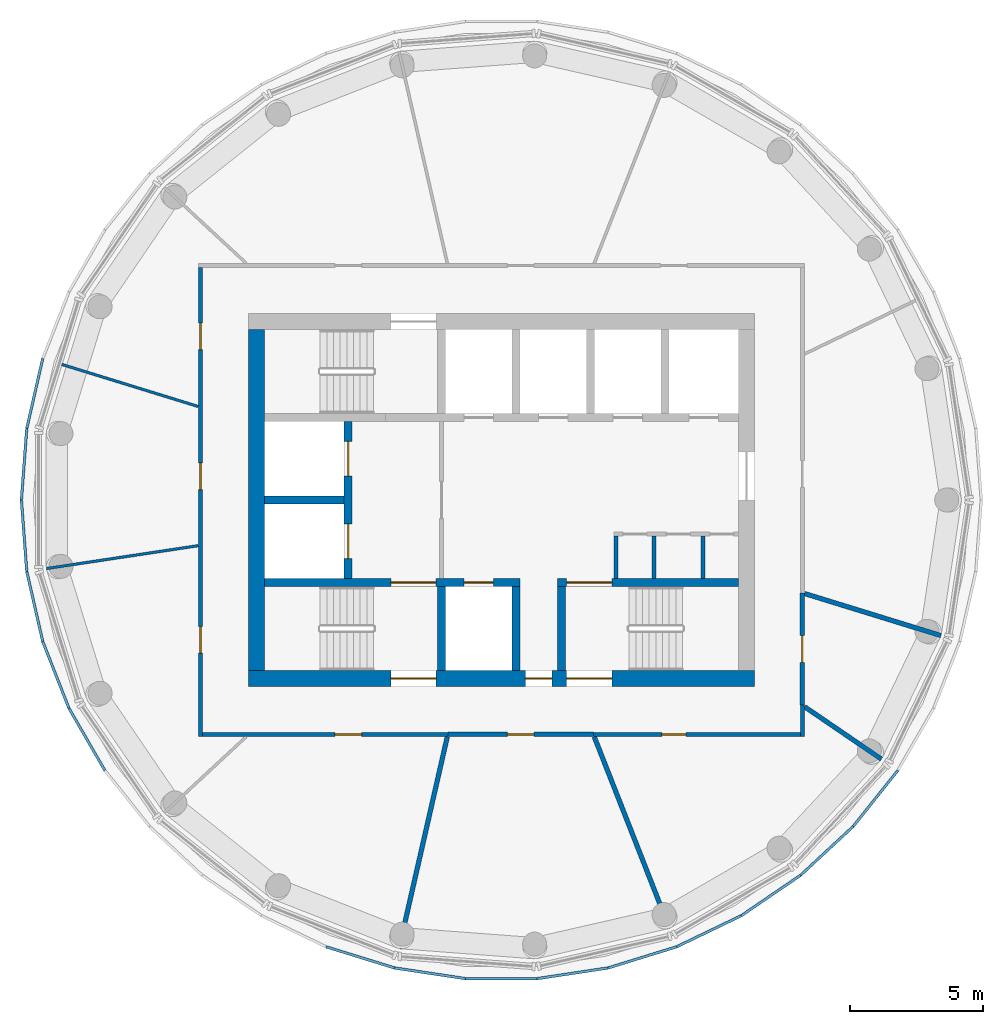
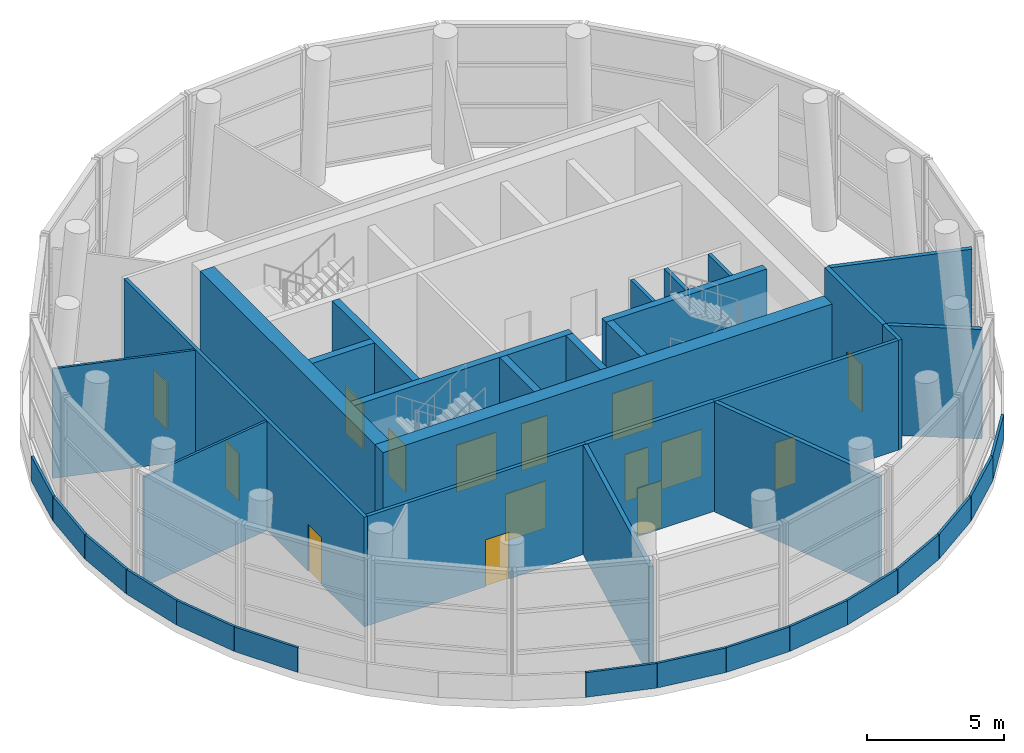
# One storey, part 5 of 10: 39 walls, 15 doors, 15 openings.
"""IFC4 building model written with IfcOpenShell, lengths in metres."""

from ifc_helpers import new_model, si_unit, direction, frame, frame_2d, origin, place, context, subcontext, project, spatial, rectangle, extrude, material, layer, layer_set, type_object, element, fill, save


model = new_model("IFC4")

# Units and contexts
model_context = context("Model", 3, precision=1e-05, world=origin(), true_north=direction((0.0, 1.0)))
body_context = subcontext(model_context, "Body", "Model", "MODEL_VIEW")
ifc_project = project(units=[si_unit("LENGTHUNIT", "METRE"), si_unit("AREAUNIT", "SQUARE_METRE"), si_unit("VOLUMEUNIT", "CUBIC_METRE"), si_unit("PLANEANGLEUNIT", "RADIAN"), si_unit("MASSUNIT", "GRAM", prefix="KILO")], contexts=[model_context])

# Site, building, storey
site_placement = place(None, origin())
site = spatial("IfcSite", under=ifc_project, at=site_placement, CompositionType="ELEMENT")
building_placement = place(site_placement, origin())
building = spatial("IfcBuilding", under=site, at=building_placement, Name="Tracery Tower", CompositionType="ELEMENT")
storey_placement = place(building_placement, frame((0.0, 0.0, 352.199951171875)))
storey = spatial("IfcBuildingStorey", under=building, at=storey_placement, Name="L90", CompositionType="ELEMENT", Elevation=352.199951171875)

# Wall
ifc_material_1 = material(Name="Plasterboard on steel studs", Category="steel")
ifc_layer_1 = layer(ifc_material_1, 0.175048828125)
ifc_layer_set_1 = layer_set([ifc_layer_1], Name="Compartment partition 175")
wall_type_1 = type_object("IfcWallType", Name="Compartment partition 175", PredefinedType="PARTITIONING", material=ifc_layer_set_1)
wall_1_placement = place(storey_placement, frame((-3.84326171875, -16.83837890625, 0.0), z_axis=(0.0, 0.0, 1.0), x_axis=(0.222515094365, 0.974929245012, 0.0)))
element("IfcWall", 1, at=wall_1_placement, inside=storey, type_object=wall_type_1, Name="Compartment partition 175", PredefinedType="PARTITIONING", context=body_context, shape_type="SweptSolid", body=[
    extrude(rectangle(XDim=8.1552734375, YDim=0.175048828125, at=frame_2d((4.07763671875, 0.0))), origin(), (0.0, 0.0, 1.0), 4.900146484375),
])

# Wall, opening, door
wall_2_placement = place(storey_placement, frame((3.45361328125, -8.800048828125, 0.0), z_axis=(0.0, 0.0, 1.0), x_axis=(-1.0, 0.0, 0.0)))
wall_2 = element("IfcWall", 2, at=wall_2_placement, inside=storey, type_object=wall_type_1, Name="Compartment partition 175", PredefinedType="PARTITIONING", context=body_context, shape_type="SweptSolid", body=[
    extrude(rectangle(XDim=5.462158203125, YDim=0.175048828125, at=frame_2d((2.73095703125, 0.0))), origin(), (0.0, 0.0, 1.0), 4.900146484375),
])
opening_1_placement = place(wall_2_placement, frame((2.231201171875, 0.0, 0.0)))
opening_1 = element("IfcOpeningElement", 3, at=opening_1_placement, cuts=wall_2, Name="Opening SB-L90-08", PredefinedType="OPENING", context=body_context, shape_type="SweptSolid", body=[
    extrude(rectangle(XDim=1.0, YDim=2.10009765625, at=frame_2d((0.5, 1.050048828125))), frame((0.0, 0.08740234375, 0.0), z_axis=(0.0, -1.0, 0.0), x_axis=(1.0, 0.0, 0.0)), (0.0, 0.0, 1.0), 0.175048828125),
])
ifc_material_2 = material(Name="Timber door leaf", Category="wood")
door_type_1 = type_object("IfcDoorType", Name="Public room door 1000", OperationType="NOTDEFINED", PredefinedType="DOOR", material=ifc_material_2)
door_1_placement = place(opening_1_placement, origin())
door_1 = element("IfcDoor", 4, at=door_1_placement, inside=storey, type_object=door_type_1, Name="Public room door 1000", OperationType="SINGLE_SWING_RIGHT", OverallHeight=2.10009765625, OverallWidth=1.0, PredefinedType="DOOR", context=body_context, shape_type="SweptSolid", body=[
    extrude(rectangle(XDim=1.0, YDim=2.10009765625, at=frame_2d((0.5, 1.050048828125))), frame((0.0, 0.02490234375, 0.0), z_axis=(0.0, -1.0, 0.0), x_axis=(1.0, 0.0, 0.0)), (0.0, 0.0, 1.0), 0.050048828125),
])
fill(opening_1, door_1)

# Wall
wall_3_placement = place(storey_placement, frame((6.309814453125, -16.077392578125, 0.0), z_axis=(0.0, 0.0, 1.0), x_axis=(-0.365333539525, 0.930876686193, 0.0)))
element("IfcWall", 5, at=wall_3_placement, inside=storey, type_object=wall_type_1, Name="Compartment partition 175", PredefinedType="PARTITIONING", context=body_context, shape_type="SweptSolid", body=[
    extrude(rectangle(XDim=7.723876953125, YDim=0.175048828125, at=frame_2d((3.86181640625, 0.0))), origin(), (0.0, 0.0, 1.0), 4.900146484375),
])

# Wall, opening, door
wall_4_placement = place(storey_placement, frame((11.300048828125, -3.485595703125, 0.0), z_axis=(0.0, 0.0, 1.0), x_axis=(0.0, -1.0, 0.0)))
wall_4 = element("IfcWall", 6, at=wall_4_placement, inside=storey, type_object=wall_type_1, Name="Compartment partition 175", PredefinedType="PARTITIONING", context=body_context, shape_type="SweptSolid", body=[
    extrude(rectangle(XDim=4.218505859375, YDim=0.175048828125, at=frame_2d((2.109375, 0.0))), origin(), (0.0, 0.0, 1.0), 4.900146484375),
])
opening_2_placement = place(wall_4_placement, frame((1.609375, 0.0, 0.0)))
opening_2 = element("IfcOpeningElement", 7, at=opening_2_placement, cuts=wall_4, Name="Opening SB-L90-10", PredefinedType="OPENING", context=body_context, shape_type="SweptSolid", body=[
    extrude(rectangle(XDim=1.0, YDim=2.10009765625, at=frame_2d((0.5, 1.050048828125))), frame((0.0, 0.08740234375, 0.0), z_axis=(0.0, -1.0, 0.0), x_axis=(1.0, 0.0, 0.0)), (0.0, 0.0, 1.0), 0.175048828125),
])
door_2_placement = place(opening_2_placement, origin())
door_2 = element("IfcDoor", 8, at=door_2_placement, inside=storey, type_object=door_type_1, Name="Public room door 1000", OperationType="SINGLE_SWING_RIGHT", OverallHeight=2.10009765625, OverallWidth=1.0, PredefinedType="DOOR", context=body_context, shape_type="SweptSolid", body=[
    extrude(rectangle(XDim=1.0, YDim=2.10009765625, at=frame_2d((0.5, 1.050048828125))), frame((0.0, 0.02490234375, 0.0), z_axis=(0.0, -1.0, 0.0), x_axis=(1.0, 0.0, 0.0)), (0.0, 0.0, 1.0), 0.050048828125),
])
fill(opening_2, door_2)

# Walls
wall_5_placement = place(storey_placement, frame((14.270263671875, -9.729248046875, 0.0), z_axis=(0.0, 0.0, 1.0), x_axis=(-0.826256949989, 0.563293398324, 0.0)))
element("IfcWall", 9, at=wall_5_placement, inside=storey, type_object=wall_type_1, Name="Compartment partition 175", PredefinedType="PARTITIONING", context=body_context, shape_type="SweptSolid", body=[
    extrude(rectangle(XDim=3.489013671875, YDim=0.175048828125, at=frame_2d((1.74462890625, 0.0))), origin(), (0.0, 0.0, 1.0), 4.900146484375),
])
wall_6_placement = place(storey_placement, frame((16.50390625, -5.0908203125, 0.0), z_axis=(0.0, 0.0, 1.0), x_axis=(-0.955577665194, 0.294739420137, 0.0)))
element("IfcWall", 10, at=wall_6_placement, inside=storey, type_object=wall_type_1, Name="Compartment partition 175", PredefinedType="PARTITIONING", context=body_context, shape_type="SweptSolid", body=[
    extrude(rectangle(XDim=5.354248046875, YDim=0.175048828125, at=frame_2d((2.67724609375, 0.0))), origin(), (0.0, 0.0, 1.0), 4.900146484375),
])
ifc_material_3 = material(Name="Plasterboard on steel studs", Category="steel")
ifc_layer_2 = layer(ifc_material_3, 0.14990234375)
ifc_layer_set_2 = layer_set([ifc_layer_2], Name="Core room partition 150")
wall_type_2 = type_object("IfcWallType", Name="Core room partition 150", PredefinedType="SOLIDWALL", material=ifc_layer_set_2)
for number, where, z_axis, x_axis, name in (
    (11, (4.300048828125, -2.949951171875, 0.0), (0.0, 0.0, 1.0), (0.0, 1.0, 0.0), "L90 slot W"),
    (12, (5.72509765625, -2.949951171875, 0.0), (0.0, 0.0, 1.0), (0.0, 1.0, 0.0), "L90 slot sep 1"),
    (13, (7.574951171875, -2.949951171875, 0.0), (0.0, 0.0, 1.0), (0.0, 1.0, 0.0), "L90 slot sep 2"),
):
    element("IfcWall", number, at=place(storey_placement, frame(where, z_axis=z_axis, x_axis=x_axis)), inside=storey, type_object=wall_type_2, Name=name, PredefinedType="SOLIDWALL", context=body_context, shape_type="SweptSolid", body=[
        extrude(rectangle(XDim=1.599853515625, YDim=0.14990234375, at=frame_2d((0.7998046875, 0.0))), origin(), (0.0, 0.0, 1.0), 5.5),
    ])

# Wall, openings, doors
ifc_material_4 = material(Name="Concrete C40/50", Category="concrete")
ifc_layer_3 = layer(ifc_material_4, 0.60009765625)
ifc_layer_set_3 = layer_set([ifc_layer_3], Name="Core wall 600 C40")
wall_type_3 = type_object("IfcWallType", Name="Core wall 600 C40", PredefinedType="SOLIDWALL", material=ifc_layer_set_3)
wall_7_placement = place(storey_placement, frame((-9.5, -6.699951171875, 0.0), z_axis=(0.0, 0.0, 1.0), x_axis=(1.0, 0.0, 0.0)))
wall_7 = element("IfcWall", 14, at=wall_7_placement, inside=storey, type_object=wall_type_3, Name="L90 outer S", PredefinedType="SOLIDWALL", context=body_context, shape_type="SweptSolid", body=[
    extrude(rectangle(XDim=19.0, YDim=0.60009765625, at=frame_2d((9.5, 0.0))), origin(), (0.0, 0.0, 1.0), 6.0),
])
opening_3_placement = place(wall_7_placement, frame((10.39990234375, 0.0, 0.0)))
opening_3 = element("IfcOpeningElement", 15, at=opening_3_placement, cuts=wall_7, Name="Opening KD16", PredefinedType="OPENING", context=body_context, shape_type="SweptSolid", body=[
    extrude(rectangle(XDim=1.0, YDim=2.10009765625, at=frame_2d((0.5, 1.050048828125))), frame((0.0, 0.300048828125, 0.0), z_axis=(0.0, -1.0, 0.0), x_axis=(1.0, 0.0, 0.0)), (0.0, 0.0, 1.0), 0.60009765625),
])
opening_4_placement = place(wall_7_placement, frame((5.35009765625, 0.0, 0.0)))
opening_4 = element("IfcOpeningElement", 16, at=opening_4_placement, cuts=wall_7, Name="Opening KD3", PredefinedType="OPENING", context=body_context, shape_type="SweptSolid", body=[
    extrude(rectangle(XDim=1.699951171875, YDim=2.10009765625, at=frame_2d((0.85009765625, 1.050048828125))), frame((0.0, 0.300048828125, 0.0), z_axis=(0.0, -1.0, 0.0), x_axis=(1.0, 0.0, 0.0)), (0.0, 0.0, 1.0), 0.60009765625),
])
opening_5_placement = place(wall_7_placement, frame((11.949951171875, 0.0, 0.0)))
opening_5 = element("IfcOpeningElement", 17, at=opening_5_placement, cuts=wall_7, Name="Opening KD3", PredefinedType="OPENING", context=body_context, shape_type="SweptSolid", body=[
    extrude(rectangle(XDim=1.699951171875, YDim=2.10009765625, at=frame_2d((0.85009765625, 1.050048828125))), frame((0.0, 0.300048828125, 0.0), z_axis=(0.0, -1.0, 0.0), x_axis=(1.0, 0.0, 0.0)), (0.0, 0.0, 1.0), 0.60009765625),
])
ifc_material_5 = material(Name="Steel fire door", Category="steel")
door_type_2 = type_object("IfcDoorType", Name="Core exit door 1000", OperationType="NOTDEFINED", PredefinedType="DOOR", material=ifc_material_5)
door_3_placement = place(opening_3_placement, origin())
door_3 = element("IfcDoor", 18, at=door_3_placement, inside=storey, type_object=door_type_2, Name="Core exit door", OperationType="SINGLE_SWING_LEFT", OverallHeight=2.10009765625, OverallWidth=1.0, PredefinedType="DOOR", context=body_context, shape_type="SweptSolid", body=[
    extrude(rectangle(XDim=1.0, YDim=2.10009765625, at=frame_2d((0.5, 1.050048828125))), frame((0.0, 0.02490234375, 0.0), z_axis=(0.0, -1.0, 0.0), x_axis=(1.0, 0.0, 0.0)), (0.0, 0.0, 1.0), 0.050048828125),
])
fill(opening_3, door_3)
ifc_material_6 = material(Name="Steel fire door", Category="steel")
door_type_3 = type_object("IfcDoorType", Name="Core stair door 1700 double", OperationType="NOTDEFINED", PredefinedType="DOOR", material=ifc_material_6)
door_4_placement = place(opening_4_placement, origin())
door_4 = element("IfcDoor", 19, at=door_4_placement, inside=storey, type_object=door_type_3, Name="Stair door ST1 exit", OperationType="DOUBLE_DOOR_SINGLE_SWING", OverallHeight=2.10009765625, OverallWidth=1.699951171875, PredefinedType="DOOR", context=body_context, shape_type="SweptSolid", body=[
    extrude(rectangle(XDim=1.699951171875, YDim=2.10009765625, at=frame_2d((0.85009765625, 1.050048828125))), frame((0.0, 0.02490234375, 0.0), z_axis=(0.0, -1.0, 0.0), x_axis=(1.0, 0.0, 0.0)), (0.0, 0.0, 1.0), 0.050048828125),
])
fill(opening_4, door_4)
door_5_placement = place(opening_5_placement, origin())
door_5 = element("IfcDoor", 20, at=door_5_placement, inside=storey, type_object=door_type_3, Name="Stair door ST2 exit", OperationType="DOUBLE_DOOR_SINGLE_SWING", OverallHeight=2.10009765625, OverallWidth=1.699951171875, PredefinedType="DOOR", context=body_context, shape_type="SweptSolid", body=[
    extrude(rectangle(XDim=1.699951171875, YDim=2.10009765625, at=frame_2d((0.85009765625, 1.050048828125))), frame((0.0, 0.02490234375, 0.0), z_axis=(0.0, -1.0, 0.0), x_axis=(1.0, 0.0, 0.0)), (0.0, 0.0, 1.0), 0.050048828125),
])
fill(opening_5, door_5)

# Wall
wall_8_placement = place(storey_placement, frame((-9.199951171875, -6.39990234375, 0.0), z_axis=(0.0, 0.0, 1.0), x_axis=(0.0, 1.0, 0.0)))
element("IfcWall", 21, at=wall_8_placement, inside=storey, type_object=wall_type_3, Name="L90 outer W", PredefinedType="SOLIDWALL", context=body_context, shape_type="SweptSolid", body=[
    extrude(rectangle(XDim=12.7998046875, YDim=0.60009765625, at=frame_2d((6.39990234375, 0.0))), origin(), (0.0, 0.0, 1.0), 6.0),
])

# Wall, opening, door
ifc_material_7 = material(Name="Plasterboard on steel studs", Category="steel")
ifc_layer_4 = layer(ifc_material_7, 0.14990234375)
ifc_layer_set_4 = layer_set([ifc_layer_4], Name="Corridor partition 150")
wall_type_4 = type_object("IfcWallType", Name="Corridor partition 150", PredefinedType="PARTITIONING", material=ifc_layer_set_4)
wall_9_placement = place(storey_placement, frame((-2.008544921875, -8.800048828125, 0.0), z_axis=(0.0, 0.0, 1.0), x_axis=(-1.0, 0.0, 0.0)))
wall_9 = element("IfcWall", 22, at=wall_9_placement, inside=storey, type_object=wall_type_4, Name="Corridor partition 150", PredefinedType="PARTITIONING", context=body_context, shape_type="SweptSolid", body=[
    extrude(rectangle(XDim=9.216552734375, YDim=0.14990234375, at=frame_2d((4.6083984375, 0.0))), origin(), (0.0, 0.0, 1.0), 4.900146484375),
])
opening_6_placement = place(wall_9_placement, frame((3.23779296875, 0.0, 0.0)))
opening_6 = element("IfcOpeningElement", 23, at=opening_6_placement, cuts=wall_9, Name="Opening SB-L90-07", PredefinedType="OPENING", context=body_context, shape_type="SweptSolid", body=[
    extrude(rectangle(XDim=1.0, YDim=2.10009765625, at=frame_2d((0.5, 1.050048828125))), frame((0.0, 0.074951171875, 0.0), z_axis=(0.0, -1.0, 0.0), x_axis=(1.0, 0.0, 0.0)), (0.0, 0.0, 1.0), 0.14990234375),
])
door_6_placement = place(opening_6_placement, origin())
door_6 = element("IfcDoor", 24, at=door_6_placement, inside=storey, type_object=door_type_1, Name="Public room door 1000", OperationType="SINGLE_SWING_RIGHT", OverallHeight=2.10009765625, OverallWidth=1.0, PredefinedType="DOOR", context=body_context, shape_type="SweptSolid", body=[
    extrude(rectangle(XDim=1.0, YDim=2.10009765625, at=frame_2d((0.5, 1.050048828125))), frame((0.0, 0.02490234375, 0.0), z_axis=(0.0, -1.0, 0.0), x_axis=(1.0, 0.0, 0.0)), (0.0, 0.0, 1.0), 0.050048828125),
])
fill(opening_6, door_6)

# Wall, openings, doors
wall_10_placement = place(storey_placement, frame((-11.300048828125, -8.875, 0.0), z_axis=(0.0, 0.0, 1.0), x_axis=(0.0, 1.0, 0.0)))
wall_10 = element("IfcWall", 25, at=wall_10_placement, inside=storey, type_object=wall_type_4, Name="Corridor partition 150", PredefinedType="PARTITIONING", context=body_context, shape_type="SweptSolid", body=[
    extrude(rectangle(XDim=17.60009765625, YDim=0.14990234375, at=frame_2d((8.800048828125, 0.0))), origin(), (0.0, 0.0, 1.0), 4.900146484375),
])
opening_7_placement = place(wall_10_placement, frame((14.517822265625, 0.0, 0.0)))
opening_7 = element("IfcOpeningElement", 26, at=opening_7_placement, cuts=wall_10, Name="Opening SB-L90-04", PredefinedType="OPENING", context=body_context, shape_type="SweptSolid", body=[
    extrude(rectangle(XDim=1.0, YDim=2.10009765625, at=frame_2d((0.5, 1.050048828125))), frame((0.0, 0.074951171875, 0.0), z_axis=(0.0, -1.0, 0.0), x_axis=(1.0, 0.0, 0.0)), (0.0, 0.0, 1.0), 0.14990234375),
])
opening_8_placement = place(wall_10_placement, frame((9.26611328125, 0.0, 0.0)))
opening_8 = element("IfcOpeningElement", 27, at=opening_8_placement, cuts=wall_10, Name="Opening SB-L90-05", PredefinedType="OPENING", context=body_context, shape_type="SweptSolid", body=[
    extrude(rectangle(XDim=1.0, YDim=2.10009765625, at=frame_2d((0.5, 1.050048828125))), frame((0.0, 0.074951171875, 0.0), z_axis=(0.0, -1.0, 0.0), x_axis=(1.0, 0.0, 0.0)), (0.0, 0.0, 1.0), 0.14990234375),
])
opening_9_placement = place(wall_10_placement, frame((3.123291015625, 0.0, 0.0)))
opening_9 = element("IfcOpeningElement", 28, at=opening_9_placement, cuts=wall_10, Name="Opening SB-L90-06", PredefinedType="OPENING", context=body_context, shape_type="SweptSolid", body=[
    extrude(rectangle(XDim=1.0, YDim=2.10009765625, at=frame_2d((0.5, 1.050048828125))), frame((0.0, 0.074951171875, 0.0), z_axis=(0.0, -1.0, 0.0), x_axis=(1.0, 0.0, 0.0)), (0.0, 0.0, 1.0), 0.14990234375),
])
door_7_placement = place(opening_7_placement, origin())
door_7 = element("IfcDoor", 29, at=door_7_placement, inside=storey, type_object=door_type_1, Name="Public room door 1000", OperationType="SINGLE_SWING_RIGHT", OverallHeight=2.10009765625, OverallWidth=1.0, PredefinedType="DOOR", context=body_context, shape_type="SweptSolid", body=[
    extrude(rectangle(XDim=1.0, YDim=2.10009765625, at=frame_2d((0.5, 1.050048828125))), frame((0.0, 0.02490234375, 0.0), z_axis=(0.0, -1.0, 0.0), x_axis=(1.0, 0.0, 0.0)), (0.0, 0.0, 1.0), 0.050048828125),
])
fill(opening_7, door_7)
door_8_placement = place(opening_8_placement, origin())
door_8 = element("IfcDoor", 30, at=door_8_placement, inside=storey, type_object=door_type_1, Name="Public room door 1000", OperationType="SINGLE_SWING_RIGHT", OverallHeight=2.10009765625, OverallWidth=1.0, PredefinedType="DOOR", context=body_context, shape_type="SweptSolid", body=[
    extrude(rectangle(XDim=1.0, YDim=2.10009765625, at=frame_2d((0.5, 1.050048828125))), frame((0.0, 0.02490234375, 0.0), z_axis=(0.0, -1.0, 0.0), x_axis=(1.0, 0.0, 0.0)), (0.0, 0.0, 1.0), 0.050048828125),
])
fill(opening_8, door_8)
door_9_placement = place(opening_9_placement, origin())
door_9 = element("IfcDoor", 31, at=door_9_placement, inside=storey, type_object=door_type_1, Name="Public room door 1000", OperationType="SINGLE_SWING_RIGHT", OverallHeight=2.10009765625, OverallWidth=1.0, PredefinedType="DOOR", context=body_context, shape_type="SweptSolid", body=[
    extrude(rectangle(XDim=1.0, YDim=2.10009765625, at=frame_2d((0.5, 1.050048828125))), frame((0.0, 0.02490234375, 0.0), z_axis=(0.0, -1.0, 0.0), x_axis=(1.0, 0.0, 0.0)), (0.0, 0.0, 1.0), 0.050048828125),
])
fill(opening_9, door_9)

# Wall, opening, door
wall_11_placement = place(storey_placement, frame((11.22509765625, -8.800048828125, 0.0), z_axis=(0.0, 0.0, 1.0), x_axis=(-1.0, 0.0, 0.0)))
wall_11 = element("IfcWall", 32, at=wall_11_placement, inside=storey, type_object=wall_type_4, Name="Corridor partition 150", PredefinedType="PARTITIONING", context=body_context, shape_type="SweptSolid", body=[
    extrude(rectangle(XDim=7.771484375, YDim=0.14990234375, at=frame_2d((3.8857421875, 0.0))), origin(), (0.0, 0.0, 1.0), 4.900146484375),
])
opening_10_placement = place(wall_11_placement, frame((4.298095703125, 0.0, 0.0)))
opening_10 = element("IfcOpeningElement", 33, at=opening_10_placement, cuts=wall_11, Name="Opening SB-L90-09", PredefinedType="OPENING", context=body_context, shape_type="SweptSolid", body=[
    extrude(rectangle(XDim=0.89990234375, YDim=2.10009765625, at=frame_2d((0.449951171875, 1.050048828125))), frame((0.0, 0.074951171875, 0.0), z_axis=(0.0, -1.0, 0.0), x_axis=(1.0, 0.0, 0.0)), (0.0, 0.0, 1.0), 0.14990234375),
])
ifc_material_8 = material(Name="Timber door leaf", Category="wood")
door_type_4 = type_object("IfcDoorType", Name="Toilet door 900", OperationType="NOTDEFINED", PredefinedType="DOOR", material=ifc_material_8)
door_10_placement = place(opening_10_placement, origin())
door_10 = element("IfcDoor", 34, at=door_10_placement, inside=storey, type_object=door_type_4, Name="Toilet door 900", OperationType="SINGLE_SWING_RIGHT", OverallHeight=2.10009765625, OverallWidth=0.89990234375, PredefinedType="DOOR", context=body_context, shape_type="SweptSolid", body=[
    extrude(rectangle(XDim=0.89990234375, YDim=2.10009765625, at=frame_2d((0.449951171875, 1.050048828125))), frame((0.0, 0.02490234375, 0.0), z_axis=(0.0, -1.0, 0.0), x_axis=(1.0, 0.0, 0.0)), (0.0, 0.0, 1.0), 0.050048828125),
])
fill(opening_10, door_10)

# Walls
wall_12_placement = place(storey_placement, frame((11.300048828125, -8.875, 0.0), z_axis=(0.0, 0.0, 1.0), x_axis=(0.0, 1.0, 0.0)))
element("IfcWall", 35, at=wall_12_placement, inside=storey, type_object=wall_type_4, Name="Corridor partition 150", PredefinedType="PARTITIONING", context=body_context, shape_type="SweptSolid", body=[
    extrude(rectangle(XDim=1.1708984375, YDim=0.14990234375, at=frame_2d((0.58544921875, 0.0))), origin(), (0.0, 0.0, 1.0), 4.900146484375),
])
ifc_material_9 = material(Name="Tinted laminated glass", Category="glass")
ifc_layer_5 = layer(ifc_material_9, 0.10009765625)
ifc_layer_set_5 = layer_set([ifc_layer_5], Name="Crown ledge glass parapet 100")
wall_type_5 = type_object("IfcWallType", Name="Crown ledge glass parapet 100", PredefinedType="PARAPET", material=ifc_layer_set_5)
for number, where, z_axis, x_axis, name in (
    (36, (-17.222412109375, 5.3076171875, 0.0), (0.0, 0.0, 1.0), (-0.222474094593, -0.974938601777, 0.0), "Crown ledge glass parapet L90 20"),
    (37, (-17.821044921875, 2.681396484375, 0.0), (0.0, 0.0, 1.0), (-0.074762815139, -0.9972013445, 0.0), "Crown ledge glass parapet L90 21"),
    (38, (-18.021728515625, -0.004638671875, 0.0), (0.0, 0.0, 1.0), (0.074762815139, -0.9972013445, 0.0), "Crown ledge glass parapet L90 22"),
    (39, (-17.819580078125, -2.690673828125, 0.0), (0.0, 0.0, 1.0), (0.222474094593, -0.974938601777, 0.0), "Crown ledge glass parapet L90 23"),
    (40, (-17.2197265625, -5.31640625, 0.0), (0.0, 0.0, 1.0), (0.365345635432, -0.930871938921, 0.0), "Crown ledge glass parapet L90 24"),
    (41, (-16.23486328125, -7.823486328125, 0.0), (0.0, 0.0, 1.0), (0.49996389635, -0.866046247233, 0.0), "Crown ledge glass parapet L90 25"),
):
    element("IfcWall", number, at=place(storey_placement, frame(where, z_axis=z_axis, x_axis=x_axis)), inside=storey, type_object=wall_type_5, Name=name, PredefinedType="PARAPET", context=body_context, shape_type="SweptSolid", body=[
        extrude(rectangle(XDim=2.684326171875, YDim=0.10009765625, at=frame_2d((1.34228515625, 0.0))), origin(), (0.0, 0.0, 1.0), 1.10009765625),
    ])
for number, where, z_axis, x_axis, name in (
    (42, (-6.57958984375, -16.777587890625, 0.0), (0.0, 0.0, 1.0), (0.955556493352, -0.294808052828, 0.0), "Crown ledge glass parapet L90 30"),
    (43, (-4.005615234375, -17.57080078125, 0.0), (0.0, 0.0, 1.0), (0.988824653634, -0.149083212888, 0.0), "Crown ledge glass parapet L90 31"),
    (44, (-1.342041015625, -17.9716796875, 0.0), (0.0, 0.0, 1.0), (1.0, 0.0, 0.0), "Crown ledge glass parapet L90 32"),
    (45, (1.3515625, -17.970947265625, 0.0), (0.0, 0.0, 1.0), (0.988824653634, 0.149083212888, 0.0), "Crown ledge glass parapet L90 33"),
    (46, (4.014892578125, -17.56884765625, 0.0), (0.0, 0.0, 1.0), (0.955556493352, 0.294808052828, 0.0), "Crown ledge glass parapet L90 34"),
):
    element("IfcWall", number, at=place(storey_placement, frame(where, z_axis=z_axis, x_axis=x_axis)), inside=storey, type_object=wall_type_5, Name=name, PredefinedType="PARAPET", context=body_context, shape_type="SweptSolid", body=[
        extrude(rectangle(XDim=2.68408203125, YDim=0.10009765625, at=frame_2d((1.342041015625, 0.0))), origin(), (0.0, 0.0, 1.0), 1.10009765625),
    ])
wall_13_placement = place(storey_placement, frame((6.58837890625, -16.774169921875, 0.0), z_axis=(0.0, 0.0, 1.0), x_axis=(0.900985868767, 0.433848434688, 0.0)))
element("IfcWall", 47, at=wall_13_placement, inside=storey, type_object=wall_type_5, Name="Crown ledge glass parapet L90 35", PredefinedType="PARAPET", context=body_context, shape_type="SweptSolid", body=[
    extrude(rectangle(XDim=2.684326171875, YDim=0.10009765625, at=frame_2d((1.34228515625, 0.0))), origin(), (0.0, 0.0, 1.0), 1.10009765625),
])
for number, where, z_axis, x_axis, name in (
    (48, (9.014892578125, -15.60498046875, 0.0), (0.0, 0.0, 1.0), (0.826254282611, 0.5632973109, 0.0), "Crown ledge glass parapet L90 36"),
    (49, (11.239990234375, -14.0869140625, 0.0), (0.0, 0.0, 1.0), (0.733036416864, 0.680189393883, 0.0), "Crown ledge glass parapet L90 37"),
    (50, (13.214111328125, -12.25439453125, 0.0), (0.0, 0.0, 1.0), (0.623529623129, 0.781799724405, 0.0), "Crown ledge glass parapet L90 38"),
):
    element("IfcWall", number, at=place(storey_placement, frame(where, z_axis=z_axis, x_axis=x_axis)), inside=storey, type_object=wall_type_5, Name=name, PredefinedType="PARAPET", context=body_context, shape_type="SweptSolid", body=[
        extrude(rectangle(XDim=2.68408203125, YDim=0.10009765625, at=frame_2d((1.342041015625, 0.0))), origin(), (0.0, 0.0, 1.0), 1.10009765625),
    ])
ifc_material_10 = material(Name="Concrete C40/50", Category="concrete")
ifc_layer_6 = layer(ifc_material_10, 0.300048828125)
ifc_layer_set_6 = layer_set([ifc_layer_6], Name="Shaft wall 300 C40")
wall_type_6 = type_object("IfcWallType", Name="Shaft wall 300 C40", PredefinedType="SOLIDWALL", material=ifc_layer_set_6)
wall_14_placement = place(storey_placement, frame((-8.89990234375, 0.0, 0.0), z_axis=(0.0, 0.0, 1.0), x_axis=(1.0, 0.0, 0.0)))
element("IfcWall", 51, at=wall_14_placement, inside=storey, type_object=wall_type_6, Name="L90 FF split", PredefinedType="SOLIDWALL", context=body_context, shape_type="SweptSolid", body=[
    extrude(rectangle(XDim=3.0, YDim=0.300048828125, at=frame_2d((1.5, 0.0))), origin(), (0.0, 0.0, 1.0), 5.5),
])

# Wall, openings, doors
wall_15_placement = place(storey_placement, frame((-5.75, -2.949951171875, 0.0), z_axis=(0.0, 0.0, 1.0), x_axis=(0.0, 1.0, 0.0)))
wall_15 = element("IfcWall", 52, at=wall_15_placement, inside=storey, type_object=wall_type_6, Name="L90 FF doors", PredefinedType="SOLIDWALL", context=body_context, shape_type="SweptSolid", body=[
    extrude(rectangle(XDim=5.89990234375, YDim=0.300048828125, at=frame_2d((2.949951171875, 0.0))), origin(), (0.0, 0.0, 1.0), 5.5),
])
opening_11_placement = place(wall_15_placement, frame((0.75, 0.0, 0.0)))
opening_11 = element("IfcOpeningElement", 53, at=opening_11_placement, cuts=wall_15, Name="Opening KD54", PredefinedType="OPENING", context=body_context, shape_type="SweptSolid", body=[
    extrude(rectangle(XDim=1.300048828125, YDim=2.10009765625, at=frame_2d((0.64990234375, 1.050048828125))), frame((0.0, 0.14990234375, 0.0), z_axis=(0.0, -1.0, 0.0), x_axis=(1.0, 0.0, 0.0)), (0.0, 0.0, 1.0), 0.300048828125),
])
opening_12_placement = place(wall_15_placement, frame((3.85009765625, 0.0, 0.0)))
opening_12 = element("IfcOpeningElement", 54, at=opening_12_placement, cuts=wall_15, Name="Opening KD55", PredefinedType="OPENING", context=body_context, shape_type="SweptSolid", body=[
    extrude(rectangle(XDim=1.300048828125, YDim=2.10009765625, at=frame_2d((0.64990234375, 1.050048828125))), frame((0.0, 0.14990234375, 0.0), z_axis=(0.0, -1.0, 0.0), x_axis=(1.0, 0.0, 0.0)), (0.0, 0.0, 1.0), 0.300048828125),
])
ifc_material_11 = material(Name="Steel fire door", Category="steel")
door_type_5 = type_object("IfcDoorType", Name="Landing door FF 1300", OperationType="NOTDEFINED", PredefinedType="DOOR", material=ifc_material_11)
door_11_placement = place(opening_11_placement, origin())
door_11 = element("IfcDoor", 55, at=door_11_placement, inside=storey, type_object=door_type_5, Name="Landing door FF1", OperationType="SLIDING_TO_LEFT", OverallHeight=2.10009765625, OverallWidth=1.300048828125, PredefinedType="DOOR", context=body_context, shape_type="SweptSolid", body=[
    extrude(rectangle(XDim=1.300048828125, YDim=2.10009765625, at=frame_2d((0.64990234375, 1.050048828125))), frame((0.0, 0.02490234375, 0.0), z_axis=(0.0, -1.0, 0.0), x_axis=(1.0, 0.0, 0.0)), (0.0, 0.0, 1.0), 0.050048828125),
])
fill(opening_11, door_11)
door_12_placement = place(opening_12_placement, origin())
door_12 = element("IfcDoor", 56, at=door_12_placement, inside=storey, type_object=door_type_5, Name="Landing door FF2", OperationType="SLIDING_TO_RIGHT", OverallHeight=2.10009765625, OverallWidth=1.300048828125, PredefinedType="DOOR", context=body_context, shape_type="SweptSolid", body=[
    extrude(rectangle(XDim=1.300048828125, YDim=2.10009765625, at=frame_2d((0.64990234375, 1.050048828125))), frame((0.0, 0.02490234375, 0.0), z_axis=(0.0, -1.0, 0.0), x_axis=(1.0, 0.0, 0.0)), (0.0, 0.0, 1.0), 0.050048828125),
])
fill(opening_12, door_12)

# Wall
wall_16_placement = place(storey_placement, frame((0.550048828125, -6.39990234375, 0.0), z_axis=(0.0, 0.0, 1.0), x_axis=(0.0, 1.0, 0.0)))
element("IfcWall", 57, at=wall_16_placement, inside=storey, type_object=wall_type_6, Name="L90 OB2 E", PredefinedType="SOLIDWALL", context=body_context, shape_type="SweptSolid", body=[
    extrude(rectangle(XDim=3.14990234375, YDim=0.300048828125, at=frame_2d((1.574951171875, 0.0))), origin(), (0.0, 0.0, 1.0), 5.5),
])

# Wall, openings, doors
ifc_material_12 = material(Name="Concrete C40/50", Category="concrete")
ifc_layer_7 = layer(ifc_material_12, 0.300048828125)
ifc_layer_set_7 = layer_set([ifc_layer_7], Name="Stair wall 300 C40")
wall_type_7 = type_object("IfcWallType", Name="Stair wall 300 C40", PredefinedType="SOLIDWALL", material=ifc_layer_set_7)
wall_17_placement = place(storey_placement, frame((-8.89990234375, -3.10009765625, 0.0), z_axis=(0.0, 0.0, 1.0), x_axis=(1.0, 0.0, 0.0)))
wall_17 = element("IfcWall", 58, at=wall_17_placement, inside=storey, type_object=wall_type_7, Name="L90 row S", PredefinedType="SOLIDWALL", context=body_context, shape_type="SweptSolid", body=[
    extrude(rectangle(XDim=9.599853515625, YDim=0.300048828125, at=frame_2d((4.7998046875, 0.0))), origin(), (0.0, 0.0, 1.0), 5.5),
])
opening_13_placement = place(wall_17_placement, frame((4.75, 0.0, 0.0)))
opening_13 = element("IfcOpeningElement", 59, at=opening_13_placement, cuts=wall_17, Name="Opening KD3", PredefinedType="OPENING", context=body_context, shape_type="SweptSolid", body=[
    extrude(rectangle(XDim=1.699951171875, YDim=2.10009765625, at=frame_2d((0.85009765625, 1.050048828125))), frame((0.0, 0.14990234375, 0.0), z_axis=(0.0, -1.0, 0.0), x_axis=(1.0, 0.0, 0.0)), (0.0, 0.0, 1.0), 0.300048828125),
])
opening_14_placement = place(wall_17_placement, frame((7.5, 0.0, 0.0)))
opening_14 = element("IfcOpeningElement", 60, at=opening_14_placement, cuts=wall_17, Name="Opening KD49", PredefinedType="OPENING", context=body_context, shape_type="SweptSolid", body=[
    extrude(rectangle(XDim=1.10009765625, YDim=2.10009765625, at=frame_2d((0.550048828125, 1.050048828125))), frame((0.0, 0.14990234375, 0.0), z_axis=(0.0, -1.0, 0.0), x_axis=(1.0, 0.0, 0.0)), (0.0, 0.0, 1.0), 0.300048828125),
])
door_13_placement = place(opening_13_placement, origin())
door_13 = element("IfcDoor", 61, at=door_13_placement, inside=storey, type_object=door_type_3, Name="Stair door ST1", OperationType="DOUBLE_DOOR_SINGLE_SWING", OverallHeight=2.10009765625, OverallWidth=1.699951171875, PredefinedType="DOOR", context=body_context, shape_type="SweptSolid", body=[
    extrude(rectangle(XDim=1.699951171875, YDim=2.10009765625, at=frame_2d((0.85009765625, 1.050048828125))), frame((0.0, 0.02490234375, 0.0), z_axis=(0.0, -1.0, 0.0), x_axis=(1.0, 0.0, 0.0)), (0.0, 0.0, 1.0), 0.050048828125),
])
fill(opening_13, door_13)
ifc_material_13 = material(Name="Steel fire door", Category="steel")
door_type_6 = type_object("IfcDoorType", Name="Landing door 1100", OperationType="NOTDEFINED", PredefinedType="DOOR", material=ifc_material_13)
door_14_placement = place(opening_14_placement, origin())
door_14 = element("IfcDoor", 62, at=door_14_placement, inside=storey, type_object=door_type_6, Name="Landing door OB2", OperationType="SLIDING_TO_LEFT", OverallHeight=2.10009765625, OverallWidth=1.10009765625, PredefinedType="DOOR", context=body_context, shape_type="SweptSolid", body=[
    extrude(rectangle(XDim=1.10009765625, YDim=2.10009765625, at=frame_2d((0.550048828125, 1.050048828125))), frame((0.0, 0.02490234375, 0.0), z_axis=(0.0, -1.0, 0.0), x_axis=(1.0, 0.0, 0.0)), (0.0, 0.0, 1.0), 0.050048828125),
])
fill(opening_14, door_14)

# Wall, opening, door
wall_18_placement = place(storey_placement, frame((2.10009765625, -3.10009765625, 0.0), z_axis=(0.0, 0.0, 1.0), x_axis=(1.0, 0.0, 0.0)))
wall_18 = element("IfcWall", 63, at=wall_18_placement, inside=storey, type_object=wall_type_7, Name="L90 row S E", PredefinedType="SOLIDWALL", context=body_context, shape_type="SweptSolid", body=[
    extrude(rectangle(XDim=6.7998046875, YDim=0.300048828125, at=frame_2d((3.39990234375, 0.0))), origin(), (0.0, 0.0, 1.0), 5.5),
])
opening_15_placement = place(wall_18_placement, frame((0.35009765625, 0.0, 0.0)))
opening_15 = element("IfcOpeningElement", 64, at=opening_15_placement, cuts=wall_18, Name="Opening KD3", PredefinedType="OPENING", context=body_context, shape_type="SweptSolid", body=[
    extrude(rectangle(XDim=1.699951171875, YDim=2.10009765625, at=frame_2d((0.85009765625, 1.050048828125))), frame((0.0, 0.14990234375, 0.0), z_axis=(0.0, -1.0, 0.0), x_axis=(1.0, 0.0, 0.0)), (0.0, 0.0, 1.0), 0.300048828125),
])
door_15_placement = place(opening_15_placement, origin())
door_15 = element("IfcDoor", 65, at=door_15_placement, inside=storey, type_object=door_type_3, Name="Stair door ST2", OperationType="DOUBLE_DOOR_SINGLE_SWING", OverallHeight=2.10009765625, OverallWidth=1.699951171875, PredefinedType="DOOR", context=body_context, shape_type="SweptSolid", body=[
    extrude(rectangle(XDim=1.699951171875, YDim=2.10009765625, at=frame_2d((0.85009765625, 1.050048828125))), frame((0.0, 0.02490234375, 0.0), z_axis=(0.0, -1.0, 0.0), x_axis=(1.0, 0.0, 0.0)), (0.0, 0.0, 1.0), 0.050048828125),
])
fill(opening_15, door_15)

# Walls
for number, where, z_axis, x_axis, name in (
    (66, (-2.25, -6.39990234375, 0.0), (0.0, 0.0, 1.0), (0.0, 1.0, 0.0), "L90 ST1 E"),
    (67, (2.25, -6.39990234375, 0.0), (0.0, 0.0, 1.0), (0.0, 1.0, 0.0), "L90 ST2 W"),
):
    element("IfcWall", number, at=place(storey_placement, frame(where, z_axis=z_axis, x_axis=x_axis)), inside=storey, type_object=wall_type_7, Name=name, PredefinedType="SOLIDWALL", context=body_context, shape_type="SweptSolid", body=[
        extrude(rectangle(XDim=3.14990234375, YDim=0.300048828125, at=frame_2d((1.574951171875, 0.0))), origin(), (0.0, 0.0, 1.0), 5.5),
    ])
ifc_material_14 = material(Name="Plasterboard on steel studs", Category="steel")
ifc_layer_8 = layer(ifc_material_14, 0.10009765625)
ifc_layer_set_8 = layer_set([ifc_layer_8], Name="Stud partition 100")
wall_type_8 = type_object("IfcWallType", Name="Stud partition 100", PredefinedType="PARTITIONING", material=ifc_layer_set_8)
wall_19_placement = place(storey_placement, frame((-17.07861328125, -2.57421875, 0.0), z_axis=(0.0, 0.0, 1.0), x_axis=(0.98883078905, 0.149042512814, 0.0)))
element("IfcWall", 68, at=wall_19_placement, inside=storey, type_object=wall_type_8, Name="Stud partition 100", PredefinedType="PARTITIONING", context=body_context, shape_type="SweptSolid", body=[
    extrude(rectangle(XDim=5.764404296875, YDim=0.10009765625, at=frame_2d((2.88232421875, 0.0))), origin(), (0.0, 0.0, 1.0), 4.900146484375),
])
wall_20_placement = place(storey_placement, frame((-16.50390625, 5.0908203125, 0.0), z_axis=(0.0, 0.0, 1.0), x_axis=(0.955570958594, -0.294761162793, 0.0)))
element("IfcWall", 69, at=wall_20_placement, inside=storey, type_object=wall_type_8, Name="Stud partition 100", PredefinedType="PARTITIONING", context=body_context, shape_type="SweptSolid", body=[
    extrude(rectangle(XDim=5.359619140625, YDim=0.10009765625, at=frame_2d((2.6796875, 0.0))), origin(), (0.0, 0.0, 1.0), 4.900146484375),
])

save(model, "model.ifc")
